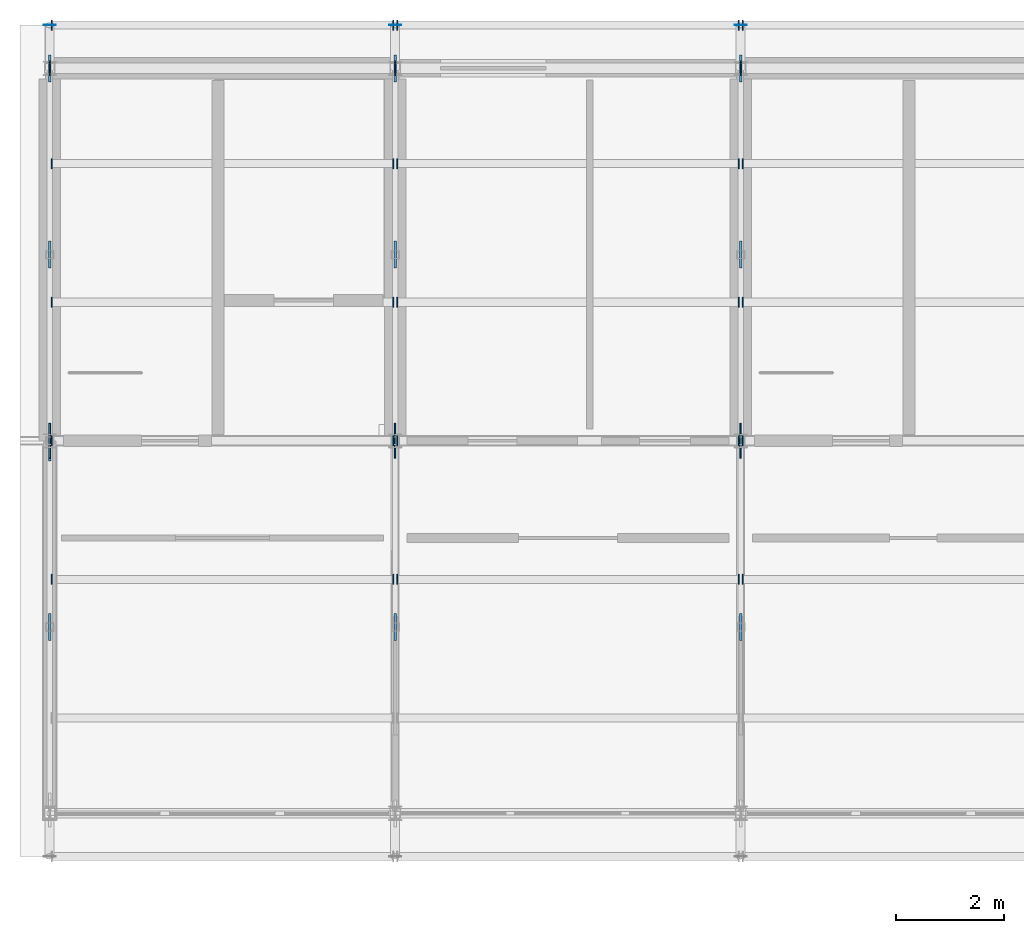
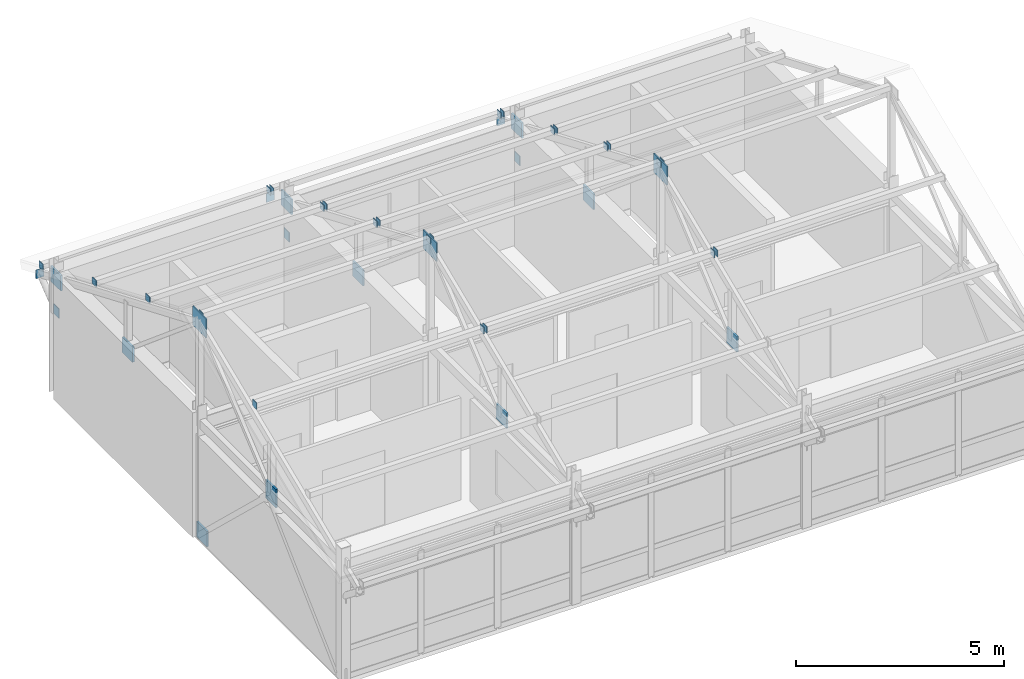
# One storey, part 6 of 11: 45 plates.
"""IFC4 building model written with IfcOpenShell, lengths in metres."""

from ifc_helpers import new_model, si_unit, direction, frame, origin, origin_2d, place, context, subcontext, project, spatial, rectangle, extrude, material, layer, layer_set, type_object, element, save


model = new_model("IFC4")

# Units and contexts
model_context = context("Model", 3, precision=1e-05, world=origin(), true_north=direction((0.0, 1.0)))
body_context = subcontext(model_context, "Body", "Model", "MODEL_VIEW")
ifc_project = project(units=[si_unit("LENGTHUNIT", "METRE"), si_unit("AREAUNIT", "SQUARE_METRE"), si_unit("VOLUMEUNIT", "CUBIC_METRE"), si_unit("PLANEANGLEUNIT", "RADIAN"), si_unit("MASSUNIT", "GRAM", prefix="KILO")], contexts=[model_context])

# Site, building, storey
site_placement = place(None, origin())
site = spatial("IfcSite", under=ifc_project, at=site_placement, CompositionType="ELEMENT")
building_placement = place(site_placement, origin())
building = spatial("IfcBuilding", under=site, at=building_placement, Name="Trelmorton Wharf Fire Station", CompositionType="ELEMENT")
storey_placement = place(building_placement, frame((0.0, 0.0, 25.199951171875)))
storey = spatial("IfcBuildingStorey", under=building, at=storey_placement, Name="L06", CompositionType="ELEMENT", Elevation=25.199951171875)

# Plates
ifc_material = material(Name="Steel Grade 350", Category="steel")
ifc_layer_1 = layer(ifc_material, 0.011962890625)
ifc_layer_set_1 = layer_set([ifc_layer_1], Name="Steel Grade 350")
plate_type_1 = type_object("IfcPlateType", Name="PL_ENDCAP_12", PredefinedType="SHEET", material=ifc_layer_set_1)
for number, where, z_axis, x_axis, name in (
    (1, (70.800048828125, 74.89990234375, 2.90087890625), (0.0, 0.0, 1.0), (1.0, 0.0, 0.0), "PL-EC-0137"),
    (2, (77.199951171875, 74.89990234375, 2.90087890625), (0.0, 0.0, 1.0), (1.0, 0.0, 0.0), "PL-EC-0141"),
    (3, (83.60009765625, 74.89990234375, 2.90087890625), (0.0, 0.0, 1.0), (1.0, 0.0, 0.0), "PL-EC-0145"),
):
    element("IfcPlate", number, at=place(storey_placement, frame(where, z_axis=z_axis, x_axis=x_axis)), inside=storey, type_object=plate_type_1, Name=name, PredefinedType="SHEET", context=body_context, shape_type="SweptSolid", body=[
        extrude(rectangle(XDim=0.219970703125, YDim=0.011962890625, at=origin_2d()), origin(), (0.0, 0.0, 1.0), 0.260009765625),
    ])
for number, where, z_axis, x_axis, name in (
    (4, (70.839111328125, 64.63330078125, 5.29296875), (0.0, 0.0, 1.0), (1.0, 0.0, 0.0), "PL-PREC-A-0155"),
    (5, (77.160888671875, 64.63330078125, 5.29296875), (0.0, 0.0, 1.0), (1.0, 0.0, 0.0), "PL-PREC-B-0156"),
    (6, (70.839111328125, 67.199951171875, 6.371826171875), (0.0, 0.0, 1.0), (1.0, 0.0, 0.0), "PL-PREC-A-0157"),
    (7, (77.160888671875, 67.199951171875, 6.371826171875), (0.0, 0.0, 1.0), (1.0, 0.0, 0.0), "PL-PREC-B-0158"),
    (8, (70.839111328125, 69.7666015625, 5.29296875), (0.0, 0.0, 1.0), (1.0, 0.0, 0.0), "PL-PREC-A-0159"),
    (9, (77.160888671875, 69.7666015625, 5.29296875), (0.0, 0.0, 1.0), (1.0, 0.0, 0.0), "PL-PREC-B-0160"),
    (10, (70.839111328125, 72.333251953125, 4.21435546875), (0.0, 0.0, 1.0), (1.0, 0.0, 0.0), "PL-PREC-A-0161"),
    (11, (77.160888671875, 72.333251953125, 4.21435546875), (0.0, 0.0, 1.0), (1.0, 0.0, 0.0), "PL-PREC-B-0162"),
    (12, (70.839111328125, 74.89990234375, 3.135498046875), (0.0, 0.0, 1.0), (1.0, 0.0, 0.0), "PL-PREC-A-0163"),
    (13, (77.160888671875, 74.89990234375, 3.135498046875), (0.0, 0.0, 1.0), (1.0, 0.0, 0.0), "PL-PREC-B-0164"),
    (14, (77.239013671875, 64.63330078125, 5.29296875), (0.0, 0.0, 1.0), (1.0, 0.0, 0.0), "PL-PREC-A-0169"),
    (15, (83.56103515625, 64.63330078125, 5.29296875), (0.0, 0.0, 1.0), (1.0, 0.0, 0.0), "PL-PREC-B-0170"),
    (16, (77.239013671875, 67.199951171875, 6.371826171875), (0.0, 0.0, 1.0), (1.0, 0.0, 0.0), "PL-PREC-A-0171"),
    (17, (83.56103515625, 67.199951171875, 6.371826171875), (0.0, 0.0, 1.0), (1.0, 0.0, 0.0), "PL-PREC-B-0172"),
    (18, (77.239013671875, 69.7666015625, 5.29296875), (0.0, 0.0, 1.0), (1.0, 0.0, 0.0), "PL-PREC-A-0173"),
    (19, (83.56103515625, 69.7666015625, 5.29296875), (0.0, 0.0, 1.0), (1.0, 0.0, 0.0), "PL-PREC-B-0174"),
    (20, (77.239013671875, 72.333251953125, 4.21435546875), (0.0, 0.0, 1.0), (1.0, 0.0, 0.0), "PL-PREC-A-0175"),
    (21, (83.56103515625, 72.333251953125, 4.21435546875), (0.0, 0.0, 1.0), (1.0, 0.0, 0.0), "PL-PREC-B-0176"),
    (22, (77.239013671875, 74.89990234375, 3.135498046875), (0.0, 0.0, 1.0), (1.0, 0.0, 0.0), "PL-PREC-A-0177"),
    (23, (83.56103515625, 74.89990234375, 3.135498046875), (0.0, 0.0, 1.0), (1.0, 0.0, 0.0), "PL-PREC-B-0178"),
    (24, (83.638916015625, 64.63330078125, 5.29296875), (0.0, 0.0, 1.0), (1.0, 0.0, 0.0), "PL-PREC-A-0183"),
    (25, (83.638916015625, 67.199951171875, 6.371826171875), (0.0, 0.0, 1.0), (1.0, 0.0, 0.0), "PL-PREC-A-0185"),
    (26, (83.638916015625, 69.7666015625, 5.29296875), (0.0, 0.0, 1.0), (1.0, 0.0, 0.0), "PL-PREC-A-0187"),
    (27, (83.638916015625, 72.333251953125, 4.21435546875), (0.0, 0.0, 1.0), (1.0, 0.0, 0.0), "PL-PREC-A-0189"),
    (28, (83.638916015625, 74.89990234375, 3.135498046875), (0.0, 0.0, 1.0), (1.0, 0.0, 0.0), "PL-PREC-A-0191"),
):
    element("IfcPlate", number, at=place(storey_placement, frame(where, z_axis=z_axis, x_axis=x_axis)), inside=storey, type_object=plate_type_1, Name=name, PredefinedType="SHEET", context=body_context, shape_type="SweptSolid", body=[
        extrude(rectangle(XDim=0.02001953125, YDim=0.18994140625, at=origin_2d()), origin(), (0.0, 0.0, 1.0), 0.18994140625),
    ])
ifc_layer_2 = layer(ifc_material, 0.02001953125)
ifc_layer_set_2 = layer_set([ifc_layer_2], Name="Steel Grade 350")
plate_type_2 = type_object("IfcPlateType", Name="PL_ENDCAP_20", PredefinedType="SHEET", material=ifc_layer_set_2)
for number, where, z_axis, x_axis, name in (
    (29, (70.800048828125, 74.10009765625, 2.26025390625), (0.0, 0.0, 1.0), (1.0, 0.0, 0.0), "PL-EC-0138"),
    (30, (77.199951171875, 74.10009765625, 2.26025390625), (0.0, 0.0, 1.0), (1.0, 0.0, 0.0), "PL-EC-0142"),
    (31, (83.60009765625, 74.10009765625, 2.26025390625), (0.0, 0.0, 1.0), (1.0, 0.0, 0.0), "PL-EC-0146"),
):
    element("IfcPlate", number, at=place(storey_placement, frame(where, z_axis=z_axis, x_axis=x_axis)), inside=storey, type_object=plate_type_2, Name=name, PredefinedType="SHEET", context=body_context, shape_type="SweptSolid", body=[
        extrude(rectangle(XDim=0.02001953125, YDim=0.260009765625, at=origin_2d()), origin(), (0.0, 0.0, 1.0), 0.280029296875),
    ])
ifc_layer_3 = layer(ifc_material, 0.030029296875)
ifc_layer_set_3 = layer_set([ifc_layer_3], Name="Steel Grade 350")
plate_type_3 = type_object("IfcPlateType", Name="PL_GUSSET_TN1", PredefinedType="USERDEFINED", material=ifc_layer_set_3)
for number, where, z_axis, x_axis, name in (
    (32, (70.800048828125, 67.199951171875, 5.99169921875), (0.0, 0.0, 1.0), (1.0, 0.0, 0.0), "PL-TN-0331"),
    (33, (77.199951171875, 67.199951171875, 5.99169921875), (0.0, 0.0, 1.0), (1.0, 0.0, 0.0), "PL-TN-0336"),
    (34, (83.60009765625, 67.199951171875, 5.99169921875), (0.0, 0.0, 1.0), (1.0, 0.0, 0.0), "PL-TN-0341"),
):
    element("IfcPlate", number, at=place(storey_placement, frame(where, z_axis=z_axis, x_axis=x_axis)), inside=storey, type_object=plate_type_3, Name=name, ObjectType="GUSSET PLATE", PredefinedType="USERDEFINED", context=body_context, shape_type="SweptSolid", body=[
        extrude(rectangle(XDim=0.030029296875, YDim=0.64990234375, at=origin_2d()), origin(), (0.0, 0.0, 1.0), 0.550048828125),
    ])
ifc_layer_4 = layer(ifc_material, 0.050048828125)
ifc_layer_set_4 = layer_set([ifc_layer_4], Name="Steel Grade 350")
plate_type_4 = type_object("IfcPlateType", Name="PL_GUSSET_TN2", PredefinedType="USERDEFINED", material=ifc_layer_set_4)
for number, where, z_axis, x_axis, name in (
    (35, (70.800048828125, 74.10009765625, 3.14208984375), (0.0, 0.0, 1.0), (1.0, 0.0, 0.0), "PL-TN-0330"),
    (36, (70.800048828125, 63.75, 3.14208984375), (0.0, 0.0, 1.0), (1.0, 0.0, 0.0), "PL-TN-0332"),
    (37, (70.800048828125, 70.64990234375, 3.14208984375), (0.0, 0.0, 1.0), (1.0, 0.0, 0.0), "PL-TN-0333"),
    (38, (77.199951171875, 74.10009765625, 3.14208984375), (0.0, 0.0, 1.0), (1.0, 0.0, 0.0), "PL-TN-0335"),
    (39, (77.199951171875, 63.75, 3.14208984375), (0.0, 0.0, 1.0), (1.0, 0.0, 0.0), "PL-TN-0337"),
    (40, (77.199951171875, 70.64990234375, 3.14208984375), (0.0, 0.0, 1.0), (1.0, 0.0, 0.0), "PL-TN-0338"),
    (41, (83.60009765625, 74.10009765625, 3.14208984375), (0.0, 0.0, 1.0), (1.0, 0.0, 0.0), "PL-TN-0340"),
    (42, (83.60009765625, 63.75, 3.14208984375), (0.0, 0.0, 1.0), (1.0, 0.0, 0.0), "PL-TN-0342"),
    (43, (83.60009765625, 70.64990234375, 3.14208984375), (0.0, 0.0, 1.0), (1.0, 0.0, 0.0), "PL-TN-0343"),
    (44, (70.800048828125, 67.072998046875, -0.10498046875), (0.0, 0.0, 1.0), (1.0, 0.0, 0.0), "PL-CBF-0419"),
    (45, (70.800048828125, 63.75, 3.05517578125), (0.0, 0.0, 1.0), (1.0, 0.0, 0.0), "PL-CBF-0420"),
):
    element("IfcPlate", number, at=place(storey_placement, frame(where, z_axis=z_axis, x_axis=x_axis)), inside=storey, type_object=plate_type_4, Name=name, ObjectType="GUSSET PLATE", PredefinedType="USERDEFINED", context=body_context, shape_type="SweptSolid", body=[
        extrude(rectangle(XDim=0.050048828125, YDim=0.5, at=origin_2d()), origin(), (0.0, 0.0, 1.0), 0.449951171875),
    ])

save(model, "model.ifc")
